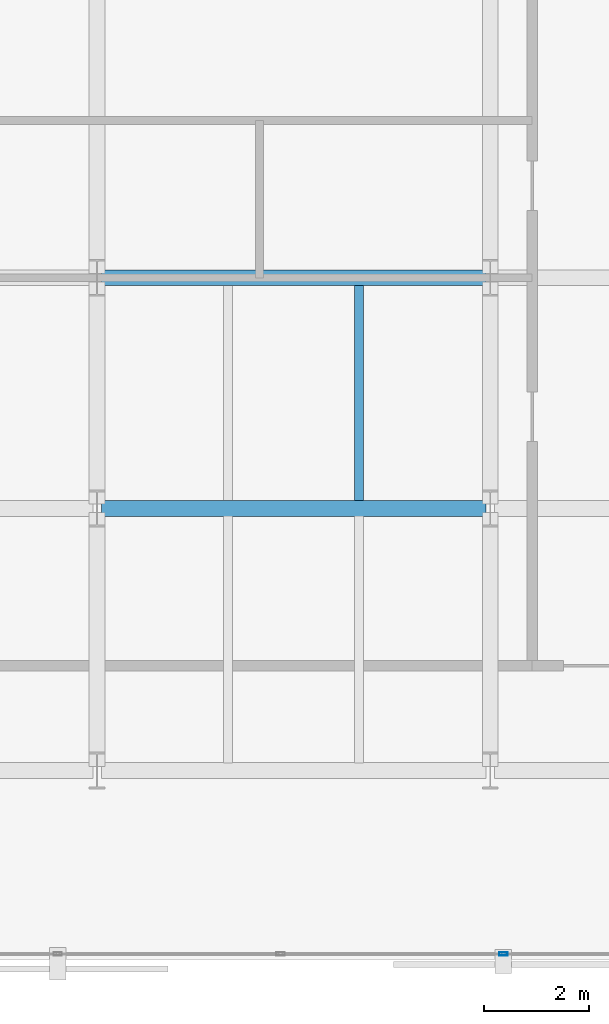
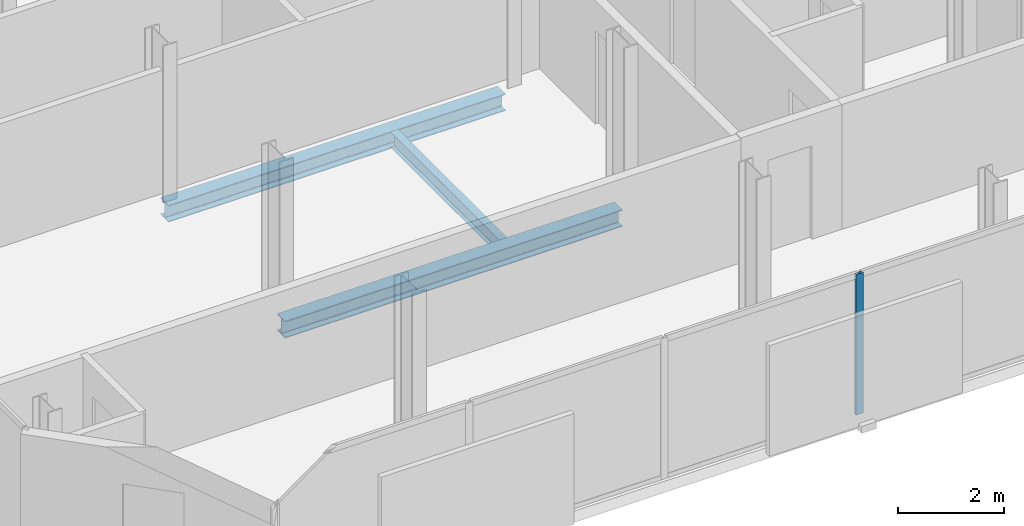
# One storey, part 6 of 32: 3 beams, 1 member, 1 element without a shape of its own.
"""IFC4 building model written with IfcOpenShell, lengths in metres."""

from ifc_helpers import new_model, si_unit, direction, frame, origin, origin_2d, place, context, subcontext, project, spatial, hollow_rectangle, i_section, extrude, material, layer, layer_set, material_profile, profile_set, type_object, element, aggregate, save


model = new_model("IFC4")

# Units and contexts
model_context = context("Model", 3, precision=1e-05, world=origin(), true_north=direction((0.0, 1.0)))
body_context = subcontext(model_context, "Body", "Model", "MODEL_VIEW")
ifc_project = project(units=[si_unit("LENGTHUNIT", "METRE"), si_unit("AREAUNIT", "SQUARE_METRE"), si_unit("VOLUMEUNIT", "CUBIC_METRE"), si_unit("PLANEANGLEUNIT", "RADIAN"), si_unit("MASSUNIT", "GRAM", prefix="KILO")], contexts=[model_context])

# Site, building, storey
site_placement = place(None, origin())
site = spatial("IfcSite", under=ifc_project, at=site_placement, CompositionType="ELEMENT")
building_placement = place(site_placement, origin())
building = spatial("IfcBuilding", under=site, at=building_placement, Name="Catumbela Crestline Tower", CompositionType="ELEMENT")
storey_placement = place(building_placement, frame((0.0, 0.0, 140.4)))
storey = spatial("IfcBuildingStorey", under=building, at=storey_placement, Name="L36", CompositionType="ELEMENT", Elevation=140.4)

# Beams
ifc_material_1 = material(Name="Structural steel S355J2", Category="steel")
ifc_material_profile_1 = material_profile(ifc_material_1, i_section(OverallWidth=0.3, OverallDepth=0.39, WebThickness=0.011, FlangeThickness=0.019, FilletRadius=0.027, at=origin_2d()), Name="HEA 400")
ifc_profile_set_1 = profile_set([ifc_material_profile_1], Name="Structural steel S355J2")
beam_type_1 = type_object("IfcBeamType", Name="BG-HEA400", PredefinedType="BEAM", material=ifc_profile_set_1)
for number, where, z_axis, x_axis, name in (
    (1, (8.58, 13.6, -0.455), (1.0, 0.0, 0.0), (0.0, 1.0, 0.0), "L36 Beam BM-L36-WEW47"),
    (2, (8.58, 18.0, -0.455), (1.0, 0.0, 0.0), (0.0, 1.0, 0.0), "L36 Beam BM-L36-WEW50"),
):
    element("IfcBeam", number, at=place(storey_placement, frame(where, z_axis=z_axis, x_axis=x_axis)), inside=storey, type_object=beam_type_1, Name=name, PredefinedType="BEAM", context=body_context, shape_type="SweptSolid", body=[
        extrude(i_section(OverallWidth=0.3, OverallDepth=0.39, WebThickness=0.011, FlangeThickness=0.019, FilletRadius=0.027, at=origin_2d()), origin(), (0.0, 0.0, 1.0), 7.34),
    ])
ifc_material_profile_2 = material_profile(ifc_material_1, i_section(OverallWidth=0.17, OverallDepth=0.36, WebThickness=0.008, FlangeThickness=0.0127, FilletRadius=0.018, at=origin_2d()), Name="IPE 360")
ifc_profile_set_2 = profile_set([ifc_material_profile_2], Name="Structural steel S355J2")
beam_type_2 = type_object("IfcBeamType", Name="BJ-IPE360", PredefinedType="JOIST", material=ifc_profile_set_2)
beam_placement = place(storey_placement, frame((13.5, 13.747, -0.44), z_axis=(0.0, 1.0, 0.0), x_axis=(-1.0, 0.0, 0.0)))
element("IfcBeam", 3, at=beam_placement, inside=storey, type_object=beam_type_2, Name="L36 Joist JS-L36-WG72", PredefinedType="JOIST", context=body_context, shape_type="SweptSolid", body=[
    extrude(i_section(OverallWidth=0.17, OverallDepth=0.36, WebThickness=0.008, FlangeThickness=0.0127, FilletRadius=0.018, at=origin_2d()), origin(), (0.0, 0.0, 1.0), 4.106),
])

# Curtain wall, member
ifc_material_2 = material(Name="Aluminium alloy AW-6060-T66", Category="aluminium")
ifc_layer = layer(ifc_material_2, 0.18, Name="Aluminium alloy AW-6060-T66")
ifc_layer_set = layer_set([ifc_layer], Name="Aluminium alloy AW-6060-T66")
curtain_wall_type = type_object("IfcCurtainWallType", Name="CWU-Z2", PredefinedType="USERDEFINED", material=ifc_layer_set)
curtain_wall_placement = place(storey_placement, origin())
curtain_wall = element("IfcCurtainWall", 4, at=curtain_wall_placement, inside=storey, type_object=curtain_wall_type, Name="L36 Unitised Curtain Wall CW-L36-E0S1", ObjectType="UNITISED", PredefinedType="USERDEFINED")
ifc_material_profile_3 = material_profile(ifc_material_2, hollow_rectangle(XDim=0.06, YDim=0.16, WallThickness=0.004, at=origin_2d()), Name="ALU 160x60x4")
ifc_profile_set_3 = profile_set([ifc_material_profile_3], Name="Aluminium alloy AW-6060-T66")
member_type = type_object("IfcMemberType", Name="MUL-160X60", PredefinedType="MULLION", material=ifc_profile_set_3)
member_placement = place(storey_placement, frame((16.25, 5.1, 0.0), z_axis=(0.0, 0.0, 1.0), x_axis=(0.0, 1.0, 0.0)))
member = element("IfcMember", 5, at=member_placement, type_object=member_type, Name="CWU-Z2 mullion 4", PredefinedType="MULLION", context=body_context, shape_type="SweptSolid", body=[
    extrude(hollow_rectangle(XDim=0.06, YDim=0.16, WallThickness=0.004, at=origin_2d()), origin(), (0.0, 0.0, 1.0), 3.24),
])
aggregate(curtain_wall, [member])

save(model, "model.ifc")
